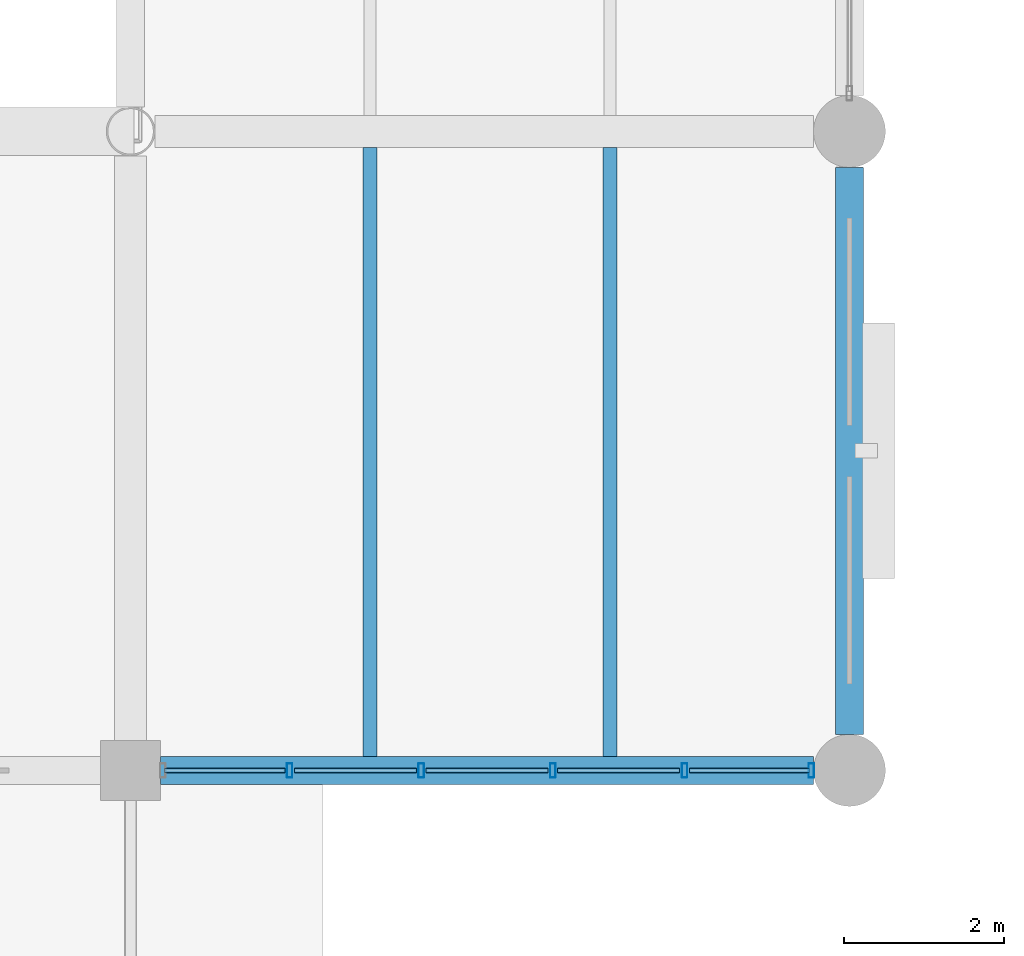
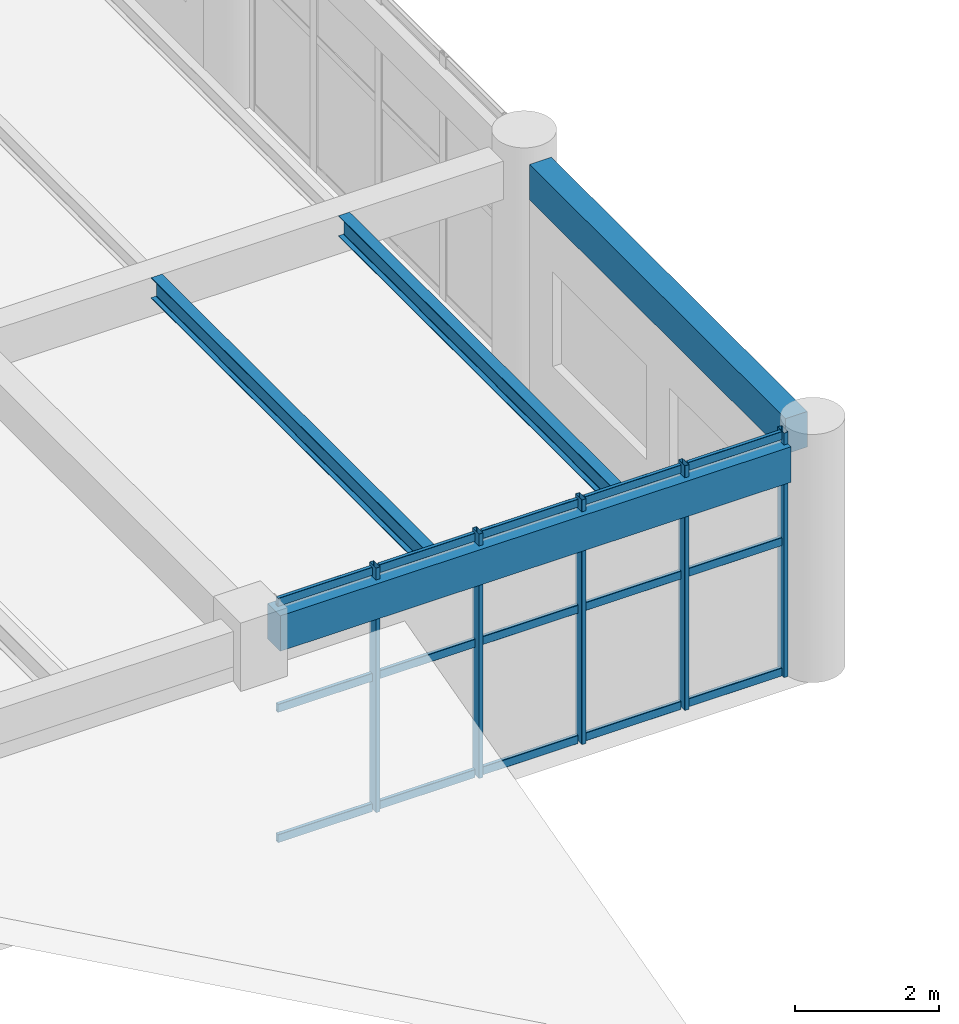
# One storey, part 40 of 148: 20 members, 4 beams, 1 element without a shape of its own.
"""IFC4 building model written with IfcOpenShell, lengths in metres."""

from ifc_helpers import new_model, si_unit, derived_unit, direction, frame, origin, origin_2d, place, context, subcontext, project, spatial, rectangle, hollow_rectangle, i_section, extrude, material, material_profile, profile_set, type_object, element, aggregate, save


model = new_model("IFC4")

# Units and contexts
model_context = context("Model", 3, precision=1e-05, world=origin(), true_north=direction((0.0, 1.0)))
body_context = subcontext(model_context, "Body", "Model", "MODEL_VIEW")
ifc_project = project(units=[si_unit("LENGTHUNIT", "METRE"), si_unit("AREAUNIT", "SQUARE_METRE"), si_unit("VOLUMEUNIT", "CUBIC_METRE"), si_unit("PLANEANGLEUNIT", "RADIAN"), si_unit("MASSUNIT", "GRAM", prefix="KILO"), derived_unit("THERMALTRANSMITTANCEUNIT", [(si_unit("MASSUNIT", "GRAM", prefix="KILO"), 1), (si_unit("TIMEUNIT", "SECOND"), -3), (si_unit("THERMODYNAMICTEMPERATUREUNIT", "KELVIN"), -1)])], contexts=[model_context])

# Site, building, storey
site_placement = place(None, origin())
site = spatial("IfcSite", under=ifc_project, at=site_placement, CompositionType="ELEMENT")
building_placement = place(site_placement, origin())
building = spatial("IfcBuilding", under=site, at=building_placement, Name="Zhenchuan Archway Interchange", CompositionType="ELEMENT")
storey_placement = place(building_placement, frame((0.0, 0.0, 10.199951171875)))
storey = spatial("IfcBuildingStorey", under=building, at=storey_placement, Name="L02", CompositionType="ELEMENT", Elevation=10.199951171875)

# Curtain wall, members
ifc_material_1 = material(Name="Anodised Aluminium", Category="aluminium")
curtain_wall_type = type_object("IfcCurtainWallType", Name="CW_UNIT_4", PredefinedType="NOTDEFINED", material=ifc_material_1)
curtain_wall_placement = place(storey_placement, origin())
curtain_wall = element("IfcCurtainWall", 1, at=curtain_wall_placement, inside=storey, type_object=curtain_wall_type, Name="Unitised curtain wall CW:L02:123", PredefinedType="NOTDEFINED")
ifc_material_profile_1 = material_profile(ifc_material_1, hollow_rectangle(XDim=0.070068359375, YDim=0.179931640625, WallThickness=0.00390625, InnerFilletRadius=0.00390625, OuterFilletRadius=0.008056640625, at=origin_2d()), Name="ALU 180x70x4")
ifc_profile_set_1 = profile_set([ifc_material_profile_1], Name="Anodised Aluminium")
member_type_1 = type_object("IfcMemberType", Name="CW_MUL_180", PredefinedType="MULLION", material=ifc_profile_set_1)
member_1_placement = place(storey_placement, frame((71.52294921875, 24.0, 0.0), z_axis=(0.0, 0.0, 1.0), x_axis=(1.0, 0.0, 0.0)))
member_1 = element("IfcMember", 2, at=member_1_placement, type_object=member_type_1, Name="CW:L02:123 mullion 0", PredefinedType="MULLION", context=body_context, shape_type="SweptSolid", body=[
    extrude(hollow_rectangle(XDim=0.070068359375, YDim=0.179931640625, WallThickness=0.00390625, InnerFilletRadius=0.00390625, OuterFilletRadius=0.008056640625, at=origin_2d()), origin(), (0.0, 0.0, 1.0), 4.14013671875),
])
member_2_placement = place(storey_placement, frame((69.93505859375, 24.0, 0.0), z_axis=(0.0, 0.0, 1.0), x_axis=(1.0, 0.0, 0.0)))
member_2 = element("IfcMember", 3, at=member_2_placement, type_object=member_type_1, Name="CW:L02:123 mullion 1", PredefinedType="MULLION", context=body_context, shape_type="SweptSolid", body=[
    extrude(hollow_rectangle(XDim=0.070068359375, YDim=0.179931640625, WallThickness=0.00390625, InnerFilletRadius=0.00390625, OuterFilletRadius=0.008056640625, at=origin_2d()), origin(), (0.0, 0.0, 1.0), 4.14013671875),
])
member_3_placement = place(storey_placement, frame((68.287109375, 24.0, 0.0), z_axis=(0.0, 0.0, 1.0), x_axis=(1.0, 0.0, 0.0)))
member_3 = element("IfcMember", 4, at=member_3_placement, type_object=member_type_1, Name="CW:L02:123 mullion 2", PredefinedType="MULLION", context=body_context, shape_type="SweptSolid", body=[
    extrude(hollow_rectangle(XDim=0.070068359375, YDim=0.179931640625, WallThickness=0.00390625, InnerFilletRadius=0.00390625, OuterFilletRadius=0.008056640625, at=origin_2d()), origin(), (0.0, 0.0, 1.0), 4.14013671875),
])
member_4_placement = place(storey_placement, frame((66.638916015625, 24.0, 0.0), z_axis=(0.0, 0.0, 1.0), x_axis=(1.0, 0.0, 0.0)))
member_4 = element("IfcMember", 5, at=member_4_placement, type_object=member_type_1, Name="CW:L02:123 mullion 3", PredefinedType="MULLION", context=body_context, shape_type="SweptSolid", body=[
    extrude(hollow_rectangle(XDim=0.070068359375, YDim=0.179931640625, WallThickness=0.00390625, InnerFilletRadius=0.00390625, OuterFilletRadius=0.008056640625, at=origin_2d()), origin(), (0.0, 0.0, 1.0), 4.14013671875),
])
member_5_placement = place(storey_placement, frame((64.990966796875, 24.0, 0.0), z_axis=(0.0, 0.0, 1.0), x_axis=(1.0, 0.0, 0.0)))
member_5 = element("IfcMember", 6, at=member_5_placement, type_object=member_type_1, Name="CW:L02:123 mullion 4", PredefinedType="MULLION", context=body_context, shape_type="SweptSolid", body=[
    extrude(hollow_rectangle(XDim=0.070068359375, YDim=0.179931640625, WallThickness=0.00390625, InnerFilletRadius=0.00390625, OuterFilletRadius=0.008056640625, at=origin_2d()), origin(), (0.0, 0.0, 1.0), 4.14013671875),
])
ifc_material_profile_2 = material_profile(ifc_material_1, hollow_rectangle(XDim=0.06005859375, YDim=0.139892578125, WallThickness=0.00341796875, InnerFilletRadius=0.00341796875, OuterFilletRadius=0.007080078125, at=origin_2d()), Name="ALU 140x60x3.5")
ifc_profile_set_2 = profile_set([ifc_material_profile_2], Name="Anodised Aluminium")
member_type_2 = type_object("IfcMemberType", Name="CW_TRN_140", PredefinedType="USERDEFINED", material=ifc_profile_set_2)
member_6_placement = place(storey_placement, frame((71.5029296875, 24.0, 0.06005859375), z_axis=(-1.0, 0.0, 0.0), x_axis=(0.0, -1.0, 0.0)))
member_6 = element("IfcMember", 7, at=member_6_placement, type_object=member_type_2, Name="CW:L02:123 transom 0-1", ObjectType="TRANSOM", PredefinedType="USERDEFINED", context=body_context, shape_type="SweptSolid", body=[
    extrude(hollow_rectangle(XDim=0.06005859375, YDim=0.139892578125, WallThickness=0.00341796875, InnerFilletRadius=0.00341796875, OuterFilletRadius=0.007080078125, at=origin_2d()), origin(), (0.0, 0.0, 1.0), 1.5078125),
])
member_7_placement = place(storey_placement, frame((71.5029296875, 24.0, 2.26611328125), z_axis=(-1.0, 0.0, 0.0), x_axis=(0.0, -1.0, 0.0)))
member_7 = element("IfcMember", 8, at=member_7_placement, type_object=member_type_2, Name="CW:L02:123 transom 0-2", ObjectType="TRANSOM", PredefinedType="USERDEFINED", context=body_context, shape_type="SweptSolid", body=[
    extrude(hollow_rectangle(XDim=0.06005859375, YDim=0.139892578125, WallThickness=0.00341796875, InnerFilletRadius=0.00341796875, OuterFilletRadius=0.007080078125, at=origin_2d()), origin(), (0.0, 0.0, 1.0), 1.5078125),
])
member_8_placement = place(storey_placement, frame((71.5029296875, 24.0, 4.06005859375), z_axis=(-1.0, 0.0, 0.0), x_axis=(0.0, -1.0, 0.0)))
member_8 = element("IfcMember", 9, at=member_8_placement, type_object=member_type_2, Name="CW:L02:123 transom 0-3", ObjectType="TRANSOM", PredefinedType="USERDEFINED", context=body_context, shape_type="SweptSolid", body=[
    extrude(hollow_rectangle(XDim=0.06005859375, YDim=0.139892578125, WallThickness=0.00341796875, InnerFilletRadius=0.00341796875, OuterFilletRadius=0.007080078125, at=origin_2d()), origin(), (0.0, 0.0, 1.0), 1.5078125),
])
member_9_placement = place(storey_placement, frame((69.875, 24.0, 0.06005859375), z_axis=(-1.0, 0.0, 0.0), x_axis=(0.0, -1.0, 0.0)))
member_9 = element("IfcMember", 10, at=member_9_placement, type_object=member_type_2, Name="CW:L02:123 transom 1-1", ObjectType="TRANSOM", PredefinedType="USERDEFINED", context=body_context, shape_type="SweptSolid", body=[
    extrude(hollow_rectangle(XDim=0.06005859375, YDim=0.139892578125, WallThickness=0.00341796875, InnerFilletRadius=0.00341796875, OuterFilletRadius=0.007080078125, at=origin_2d()), origin(), (0.0, 0.0, 1.0), 1.528076171875),
])
member_10_placement = place(storey_placement, frame((69.875, 24.0, 2.26611328125), z_axis=(-1.0, 0.0, 0.0), x_axis=(0.0, -1.0, 0.0)))
member_10 = element("IfcMember", 11, at=member_10_placement, type_object=member_type_2, Name="CW:L02:123 transom 1-2", ObjectType="TRANSOM", PredefinedType="USERDEFINED", context=body_context, shape_type="SweptSolid", body=[
    extrude(hollow_rectangle(XDim=0.06005859375, YDim=0.139892578125, WallThickness=0.00341796875, InnerFilletRadius=0.00341796875, OuterFilletRadius=0.007080078125, at=origin_2d()), origin(), (0.0, 0.0, 1.0), 1.528076171875),
])
member_11_placement = place(storey_placement, frame((69.875, 24.0, 4.06005859375), z_axis=(-1.0, 0.0, 0.0), x_axis=(0.0, -1.0, 0.0)))
member_11 = element("IfcMember", 12, at=member_11_placement, type_object=member_type_2, Name="CW:L02:123 transom 1-3", ObjectType="TRANSOM", PredefinedType="USERDEFINED", context=body_context, shape_type="SweptSolid", body=[
    extrude(hollow_rectangle(XDim=0.06005859375, YDim=0.139892578125, WallThickness=0.00341796875, InnerFilletRadius=0.00341796875, OuterFilletRadius=0.007080078125, at=origin_2d()), origin(), (0.0, 0.0, 1.0), 1.528076171875),
])
member_12_placement = place(storey_placement, frame((68.22705078125, 24.0, 0.06005859375), z_axis=(-1.0, 0.0, 0.0), x_axis=(0.0, -1.0, 0.0)))
member_12 = element("IfcMember", 13, at=member_12_placement, type_object=member_type_2, Name="CW:L02:123 transom 2-1", ObjectType="TRANSOM", PredefinedType="USERDEFINED", context=body_context, shape_type="SweptSolid", body=[
    extrude(hollow_rectangle(XDim=0.06005859375, YDim=0.139892578125, WallThickness=0.00341796875, InnerFilletRadius=0.00341796875, OuterFilletRadius=0.007080078125, at=origin_2d()), origin(), (0.0, 0.0, 1.0), 1.528076171875),
])
member_13_placement = place(storey_placement, frame((68.22705078125, 24.0, 2.26611328125), z_axis=(-1.0, 0.0, 0.0), x_axis=(0.0, -1.0, 0.0)))
member_13 = element("IfcMember", 14, at=member_13_placement, type_object=member_type_2, Name="CW:L02:123 transom 2-2", ObjectType="TRANSOM", PredefinedType="USERDEFINED", context=body_context, shape_type="SweptSolid", body=[
    extrude(hollow_rectangle(XDim=0.06005859375, YDim=0.139892578125, WallThickness=0.00341796875, InnerFilletRadius=0.00341796875, OuterFilletRadius=0.007080078125, at=origin_2d()), origin(), (0.0, 0.0, 1.0), 1.528076171875),
])
member_14_placement = place(storey_placement, frame((68.22705078125, 24.0, 4.06005859375), z_axis=(-1.0, 0.0, 0.0), x_axis=(0.0, -1.0, 0.0)))
member_14 = element("IfcMember", 15, at=member_14_placement, type_object=member_type_2, Name="CW:L02:123 transom 2-3", ObjectType="TRANSOM", PredefinedType="USERDEFINED", context=body_context, shape_type="SweptSolid", body=[
    extrude(hollow_rectangle(XDim=0.06005859375, YDim=0.139892578125, WallThickness=0.00341796875, InnerFilletRadius=0.00341796875, OuterFilletRadius=0.007080078125, at=origin_2d()), origin(), (0.0, 0.0, 1.0), 1.528076171875),
])
member_15_placement = place(storey_placement, frame((66.5791015625, 24.0, 0.06005859375), z_axis=(-1.0, 0.0, 0.0), x_axis=(0.0, -1.0, 0.0)))
member_15 = element("IfcMember", 16, at=member_15_placement, type_object=member_type_2, Name="CW:L02:123 transom 3-1", ObjectType="TRANSOM", PredefinedType="USERDEFINED", context=body_context, shape_type="SweptSolid", body=[
    extrude(hollow_rectangle(XDim=0.06005859375, YDim=0.139892578125, WallThickness=0.00341796875, InnerFilletRadius=0.00341796875, OuterFilletRadius=0.007080078125, at=origin_2d()), origin(), (0.0, 0.0, 1.0), 1.528076171875),
])
member_16_placement = place(storey_placement, frame((66.5791015625, 24.0, 2.26611328125), z_axis=(-1.0, 0.0, 0.0), x_axis=(0.0, -1.0, 0.0)))
member_16 = element("IfcMember", 17, at=member_16_placement, type_object=member_type_2, Name="CW:L02:123 transom 3-2", ObjectType="TRANSOM", PredefinedType="USERDEFINED", context=body_context, shape_type="SweptSolid", body=[
    extrude(hollow_rectangle(XDim=0.06005859375, YDim=0.139892578125, WallThickness=0.00341796875, InnerFilletRadius=0.00341796875, OuterFilletRadius=0.007080078125, at=origin_2d()), origin(), (0.0, 0.0, 1.0), 1.528076171875),
])
member_17_placement = place(storey_placement, frame((66.5791015625, 24.0, 4.06005859375), z_axis=(-1.0, 0.0, 0.0), x_axis=(0.0, -1.0, 0.0)))
member_17 = element("IfcMember", 18, at=member_17_placement, type_object=member_type_2, Name="CW:L02:123 transom 3-3", ObjectType="TRANSOM", PredefinedType="USERDEFINED", context=body_context, shape_type="SweptSolid", body=[
    extrude(hollow_rectangle(XDim=0.06005859375, YDim=0.139892578125, WallThickness=0.00341796875, InnerFilletRadius=0.00341796875, OuterFilletRadius=0.007080078125, at=origin_2d()), origin(), (0.0, 0.0, 1.0), 1.528076171875),
])
member_18_placement = place(storey_placement, frame((64.930908203125, 24.0, 0.06005859375), z_axis=(-1.0, 0.0, 0.0), x_axis=(0.0, -1.0, 0.0)))
member_18 = element("IfcMember", 19, at=member_18_placement, type_object=member_type_2, Name="CW:L02:123 transom 4-1", ObjectType="TRANSOM", PredefinedType="USERDEFINED", context=body_context, shape_type="SweptSolid", body=[
    extrude(hollow_rectangle(XDim=0.06005859375, YDim=0.139892578125, WallThickness=0.00341796875, InnerFilletRadius=0.00341796875, OuterFilletRadius=0.007080078125, at=origin_2d()), origin(), (0.0, 0.0, 1.0), 1.5078125),
])
member_19_placement = place(storey_placement, frame((64.930908203125, 24.0, 2.26611328125), z_axis=(-1.0, 0.0, 0.0), x_axis=(0.0, -1.0, 0.0)))
member_19 = element("IfcMember", 20, at=member_19_placement, type_object=member_type_2, Name="CW:L02:123 transom 4-2", ObjectType="TRANSOM", PredefinedType="USERDEFINED", context=body_context, shape_type="SweptSolid", body=[
    extrude(hollow_rectangle(XDim=0.06005859375, YDim=0.139892578125, WallThickness=0.00341796875, InnerFilletRadius=0.00341796875, OuterFilletRadius=0.007080078125, at=origin_2d()), origin(), (0.0, 0.0, 1.0), 1.5078125),
])
member_20_placement = place(storey_placement, frame((64.930908203125, 24.0, 4.06005859375), z_axis=(-1.0, 0.0, 0.0), x_axis=(0.0, -1.0, 0.0)))
member_20 = element("IfcMember", 21, at=member_20_placement, type_object=member_type_2, Name="CW:L02:123 transom 4-3", ObjectType="TRANSOM", PredefinedType="USERDEFINED", context=body_context, shape_type="SweptSolid", body=[
    extrude(hollow_rectangle(XDim=0.06005859375, YDim=0.139892578125, WallThickness=0.00341796875, InnerFilletRadius=0.00341796875, OuterFilletRadius=0.007080078125, at=origin_2d()), origin(), (0.0, 0.0, 1.0), 1.5078125),
])
aggregate(curtain_wall, [member_1, member_2, member_3, member_4, member_5, member_6, member_7, member_8, member_9, member_10, member_11, member_12, member_13, member_14, member_15, member_16, member_17, member_18, member_19, member_20])

# Beams
ifc_material_2 = material(Name="Steel Q355", Category="steel")
ifc_material_profile_3 = material_profile(ifc_material_2, i_section(OverallWidth=0.175048828125, OverallDepth=0.35009765625, WebThickness=0.007080078125, FlangeThickness=0.010986328125, FilletRadius=0.013916015625, at=origin_2d()), Name="HN 350x175")
ifc_profile_set_3 = profile_set([ifc_material_profile_3], Name="Steel Q355")
beam_type_1 = type_object("IfcBeamType", Name="JST_STL_HN350", PredefinedType="JOIST", material=ifc_profile_set_3)
for number, where, z_axis, x_axis, name in (
    (22, (66.0, 24.175048828125, 3.76513671875), (0.0, 1.0, 0.0), (-1.0, 0.0, 0.0), "Secondary joist 8-9/D-E #1 (L02)"),
    (23, (69.0, 24.175048828125, 3.76513671875), (0.0, 1.0, 0.0), (-1.0, 0.0, 0.0), "Secondary joist 8-9/D-E #2 (L02)"),
):
    element("IfcBeam", number, at=place(storey_placement, frame(where, z_axis=z_axis, x_axis=x_axis)), inside=storey, type_object=beam_type_1, Name=name, PredefinedType="JOIST", context=body_context, shape_type="SweptSolid", body=[
        extrude(i_section(OverallWidth=0.175048828125, OverallDepth=0.35009765625, WebThickness=0.007080078125, FlangeThickness=0.010986328125, FilletRadius=0.013916015625, at=origin_2d()), origin(), (0.0, 0.0, 1.0), 7.625),
    ])
ifc_material_3 = material(Name="Concrete C40", Category="concrete")
ifc_material_profile_4 = material_profile(ifc_material_3, rectangle(XDim=0.35009765625, YDim=0.60009765625, at=origin_2d()), Name="RC 350x600")
ifc_profile_set_4 = profile_set([ifc_material_profile_4], Name="Concrete C40")
beam_type_2 = type_object("IfcBeamType", Name="SP_RC_350x600", PredefinedType="SPANDREL", material=ifc_profile_set_4)
beam_1_placement = place(storey_placement, frame((63.375, 24.0, 3.64013671875), z_axis=(1.0, 0.0, 0.0), x_axis=(0.0, 1.0, 0.0)))
element("IfcBeam", 24, at=beam_1_placement, inside=storey, type_object=beam_type_2, Name="Beam D:8-9 (L02)", PredefinedType="SPANDREL", context=body_context, shape_type="SweptSolid", body=[
    extrude(rectangle(XDim=0.35009765625, YDim=0.60009765625, at=origin_2d()), origin(), (0.0, 0.0, 1.0), 8.175048828125),
])
beam_2_placement = place(storey_placement, frame((72.0, 24.449951171875, 3.64013671875), z_axis=(0.0, 1.0, 0.0), x_axis=(-1.0, 0.0, 0.0)))
element("IfcBeam", 25, at=beam_2_placement, inside=storey, type_object=beam_type_2, Name="Beam 9:D-E (L02)", PredefinedType="SPANDREL", context=body_context, shape_type="SweptSolid", body=[
    extrude(rectangle(XDim=0.35009765625, YDim=0.60009765625, at=origin_2d()), origin(), (0.0, 0.0, 1.0), 7.10009765625),
])

save(model, "model.ifc")
